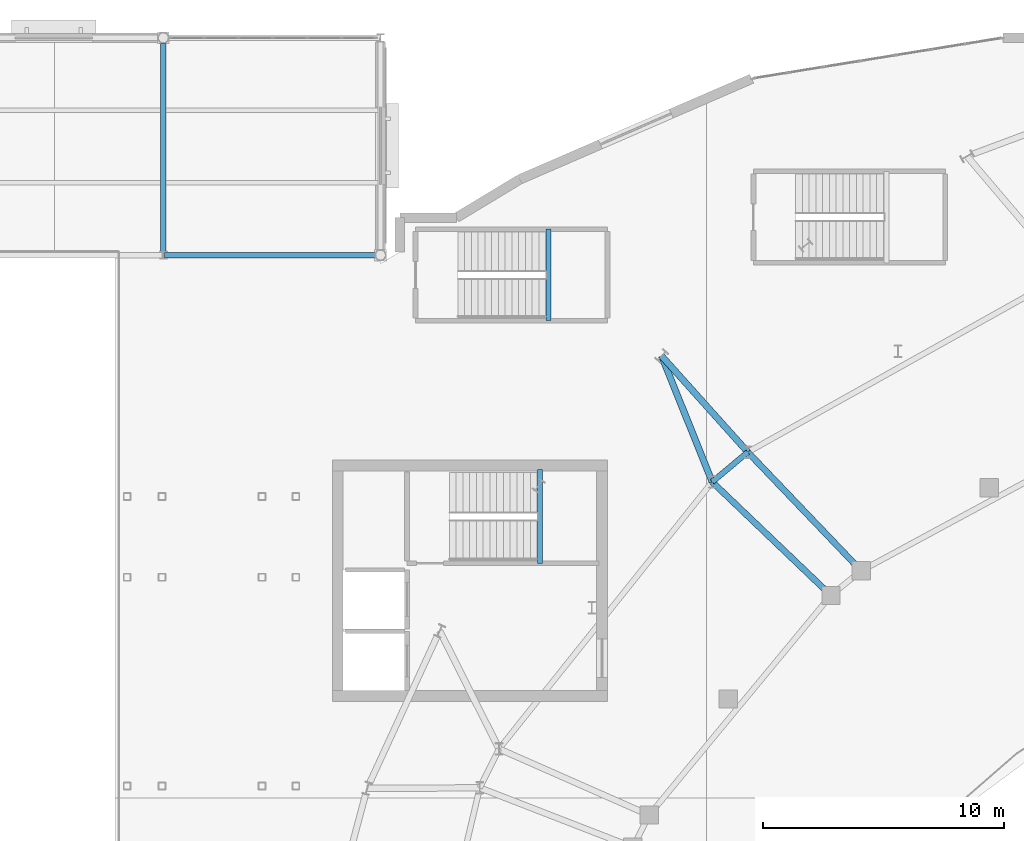
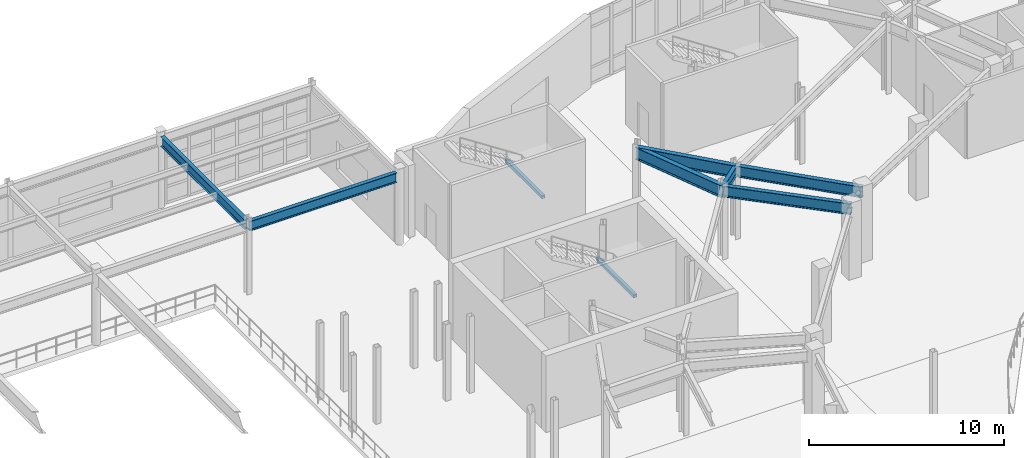
# One storey, part 41 of 86: 9 beams.
"""IFC4 building model written with IfcOpenShell, lengths in metres."""

from ifc_helpers import new_model, si_unit, direction, frame, origin, origin_2d, place, context, subcontext, project, spatial, hollow_rectangle, i_section, extrude, material, material_profile, profile_set, type_object, element, save


model = new_model("IFC4")

# Units and contexts
model_context = context("Model", 3, precision=1e-05, world=origin(), true_north=direction((0.0, 1.0)))
body_context = subcontext(model_context, "Body", "Model", "MODEL_VIEW")
ifc_project = project(units=[si_unit("LENGTHUNIT", "METRE"), si_unit("AREAUNIT", "SQUARE_METRE"), si_unit("VOLUMEUNIT", "CUBIC_METRE"), si_unit("PLANEANGLEUNIT", "RADIAN"), si_unit("MASSUNIT", "GRAM", prefix="KILO")], contexts=[model_context])

# Site, building, storey
site_placement = place(None, origin())
site = spatial("IfcSite", under=ifc_project, at=site_placement, CompositionType="ELEMENT")
building_placement = place(site_placement, origin())
building = spatial("IfcBuilding", under=site, at=building_placement, Name="Glasvene Arena", CompositionType="ELEMENT")
storey_placement = place(building_placement, frame((0.0, 0.0, 5.39990234375)))
storey = spatial("IfcBuildingStorey", under=building, at=storey_placement, Name="L01", CompositionType="ELEMENT", Elevation=5.39990234375)

# Beams
ifc_material = material(Name="Steel S355J2", Category="steel")
ifc_material_profile_1 = material_profile(ifc_material, i_section(OverallWidth=0.228271484375, OverallDepth=0.607666015625, WebThickness=0.010986328125, FlangeThickness=0.017333984375, FilletRadius=0.0126953125, at=origin_2d()), Name="UKB 610x229x113")
ifc_profile_set_1 = profile_set([ifc_material_profile_1], Name="Steel S355J2")
beam_type_1 = type_object("IfcBeamType", Name="BM-GIRD-610", PredefinedType="BEAM", material=ifc_profile_set_1)
beam_1_placement = place(storey_placement, frame((36.050048828125, 109.0, 4.21630859375), z_axis=(1.0, 0.0, 0.0), x_axis=(0.0, 1.0, 0.0)))
element("IfcBeam", 1, at=beam_1_placement, inside=storey, type_object=beam_type_1, Name="Primary X girder L01-0585", PredefinedType="BEAM", context=body_context, shape_type="SweptSolid", body=[
    extrude(i_section(OverallWidth=0.228271484375, OverallDepth=0.607666015625, WebThickness=0.010986328125, FlangeThickness=0.017333984375, FilletRadius=0.0126953125, at=origin_2d()), origin(), (0.0, 0.0, 1.0), 8.7265625),
])
beam_2_placement = place(storey_placement, frame((36.0, 109.1552734375, 4.21630859375), z_axis=(0.0, 1.0, 0.0), x_axis=(-1.0, 0.0, 0.0)))
element("IfcBeam", 2, at=beam_2_placement, inside=storey, type_object=beam_type_1, Name="Primary Y girder L01-0640", PredefinedType="BEAM", context=body_context, shape_type="SweptSolid", body=[
    extrude(i_section(OverallWidth=0.228271484375, OverallDepth=0.607666015625, WebThickness=0.010986328125, FlangeThickness=0.017333984375, FilletRadius=0.0126953125, at=origin_2d()), origin(), (0.0, 0.0, 1.0), 8.621337890625),
])
beam_3_placement = place(storey_placement, frame((60.219482421875, 100.834228515625, 4.215087890625), z_axis=(-0.766930434436, -0.641730246082, 0.0), x_axis=(0.641730246082, -0.766930434436, 0.0)))
element("IfcBeam", 3, at=beam_3_placement, inside=storey, type_object=beam_type_1, Name="Concourse inner ring girder L01-12", PredefinedType="BEAM", context=body_context, shape_type="SweptSolid", body=[
    extrude(i_section(OverallWidth=0.228271484375, OverallDepth=0.607666015625, WebThickness=0.010986328125, FlangeThickness=0.017333984375, FilletRadius=0.0126953125, at=origin_2d()), origin(), (0.0, 0.0, 1.0), 1.924560546875),
])
ifc_material_profile_2 = material_profile(ifc_material, i_section(OverallWidth=0.253662109375, OverallDepth=0.68359375, WebThickness=0.012451171875, FlangeThickness=0.01904296875, FilletRadius=0.01513671875, at=origin_2d()), Name="UKB 686x254x140")
ifc_profile_set_2 = profile_set([ifc_material_profile_2], Name="Steel S355J2")
beam_type_2 = type_object("IfcBeamType", Name="BM-GIRD-686", PredefinedType="BEAM", material=ifc_profile_set_2)
beam_4_placement = place(storey_placement, frame((64.91748046875, 95.918212890625, 4.17822265625), z_axis=(-0.690894054314, 0.722956019211, 0.0), x_axis=(-0.722956019211, -0.690894054314, 0.0)))
element("IfcBeam", 4, at=beam_4_placement, inside=storey, type_object=beam_type_2, Name="Mid-to-rear radial girder L01-12", PredefinedType="BEAM", context=body_context, shape_type="SweptSolid", body=[
    extrude(i_section(OverallWidth=0.253662109375, OverallDepth=0.68359375, WebThickness=0.012451171875, FlangeThickness=0.01904296875, FilletRadius=0.01513671875, at=origin_2d()), origin(), (0.0, 0.0, 1.0), 6.7998046875),
])
beam_5_placement = place(storey_placement, frame((63.65966796875, 94.90087890625, 4.17822265625), z_axis=(-0.722955223934, 0.690894886496, 0.0), x_axis=(-0.690894886496, -0.722955223934, 0.0)))
element("IfcBeam", 5, at=beam_5_placement, inside=storey, type_object=beam_type_2, Name="Mid-to-rear radial girder L01-13", PredefinedType="BEAM", context=body_context, shape_type="SweptSolid", body=[
    extrude(i_section(OverallWidth=0.253662109375, OverallDepth=0.68359375, WebThickness=0.012451171875, FlangeThickness=0.01904296875, FilletRadius=0.01513671875, at=origin_2d()), origin(), (0.0, 0.0, 1.0), 6.80029296875),
])
ifc_material_profile_3 = material_profile(ifc_material, i_section(OverallWidth=0.2666015625, OverallDepth=0.76220703125, WebThickness=0.014404296875, FlangeThickness=0.021484375, FilletRadius=0.0166015625, at=origin_2d()), Name="UKB 762x267x173")
ifc_profile_set_3 = profile_set([ifc_material_profile_3], Name="Steel S355J2")
beam_type_3 = type_object("IfcBeamType", Name="BM-GIRD-762", PredefinedType="BEAM", material=ifc_profile_set_3)
beam_6_placement = place(storey_placement, frame((60.219482421875, 100.834228515625, 4.138916015625), z_axis=(-0.667691455448, 0.744438123904, 0.0), x_axis=(-0.744438123904, -0.667691455448, 0.0)))
element("IfcBeam", 6, at=beam_6_placement, inside=storey, type_object=beam_type_3, Name="Radial concourse girder L01-12", PredefinedType="BEAM", context=body_context, shape_type="SweptSolid", body=[
    extrude(i_section(OverallWidth=0.2666015625, OverallDepth=0.76220703125, WebThickness=0.014404296875, FlangeThickness=0.021484375, FilletRadius=0.0166015625, at=origin_2d()), origin(), (0.0, 0.0, 1.0), 5.353759765625),
])
beam_7_placement = place(storey_placement, frame((58.743408203125, 99.59912109375, 4.138916015625), z_axis=(-0.372976095384, 0.927840952034, 0.0), x_axis=(-0.927840952034, -0.372976095384, 0.0)))
element("IfcBeam", 7, at=beam_7_placement, inside=storey, type_object=beam_type_3, Name="Radial concourse girder L01-13", PredefinedType="BEAM", context=body_context, shape_type="SweptSolid", body=[
    extrude(i_section(OverallWidth=0.2666015625, OverallDepth=0.76220703125, WebThickness=0.014404296875, FlangeThickness=0.021484375, FilletRadius=0.0166015625, at=origin_2d()), origin(), (0.0, 0.0, 1.0), 5.626708984375),
])
ifc_material_profile_4 = material_profile(ifc_material, hollow_rectangle(XDim=0.199951171875, YDim=0.199951171875, WallThickness=0.010009765625, at=origin_2d()), Name="SHS 200x200x10.0")
ifc_profile_set_4 = profile_set([ifc_material_profile_4], Name="Steel S355J2")
beam_type_4 = type_object("IfcBeamType", Name="BM-LINTEL-200", PredefinedType="LINTEL", material=ifc_profile_set_4)
beam_8_placement = place(storey_placement, frame((51.610107421875, 96.22998046875, 2.080078125), z_axis=(0.0, 1.0, 0.0), x_axis=(-1.0, 0.0, 0.0)))
element("IfcBeam", 8, at=beam_8_placement, inside=storey, type_object=beam_type_4, Name="Stair half-landing support beam ST-01-L01", PredefinedType="LINTEL", context=body_context, shape_type="SweptSolid", body=[
    extrude(hollow_rectangle(XDim=0.199951171875, YDim=0.199951171875, WallThickness=0.010009765625, at=origin_2d()), origin(), (0.0, 0.0, 1.0), 3.89013671875),
])
beam_9_placement = place(storey_placement, frame((51.9599609375, 106.280029296875, 2.080078125), z_axis=(0.0, 1.0, 0.0), x_axis=(-1.0, 0.0, 0.0)))
element("IfcBeam", 9, at=beam_9_placement, inside=storey, type_object=beam_type_4, Name="Stair half-landing support beam ST-12-L01", PredefinedType="LINTEL", context=body_context, shape_type="SweptSolid", body=[
    extrude(hollow_rectangle(XDim=0.199951171875, YDim=0.199951171875, WallThickness=0.010009765625, at=origin_2d()), origin(), (0.0, 0.0, 1.0), 3.7900390625),
])

save(model, "model.ifc")
